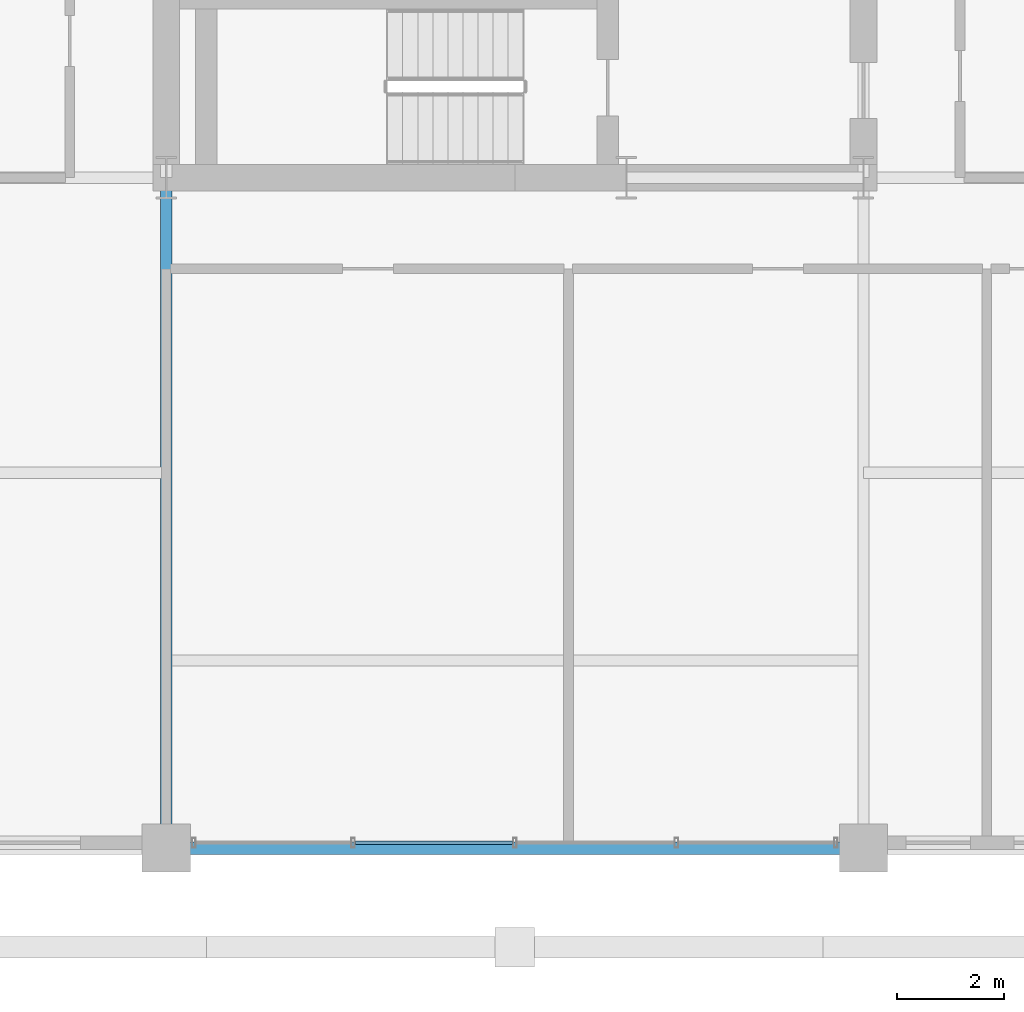
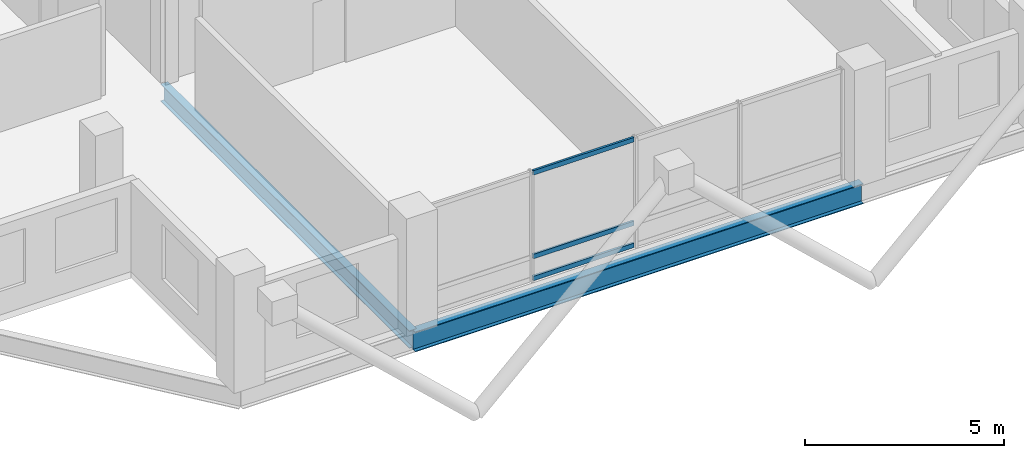
# One storey, part 4 of 22: 3 members, 2 beams, 1 element without a shape of its own.
"""IFC4 building model written with IfcOpenShell, lengths in metres."""

from ifc_helpers import new_model, si_unit, direction, frame, origin, origin_2d, place, context, subcontext, project, spatial, hollow_rectangle, i_section, extrude, material, layer, layer_set, material_profile, profile_set, type_object, element, aggregate, save


model = new_model("IFC4")

# Units and contexts
model_context = context("Model", 3, precision=1e-05, world=origin(), true_north=direction((0.0, 1.0)))
body_context = subcontext(model_context, "Body", "Model", "MODEL_VIEW")
ifc_project = project(units=[si_unit("LENGTHUNIT", "METRE"), si_unit("AREAUNIT", "SQUARE_METRE"), si_unit("VOLUMEUNIT", "CUBIC_METRE"), si_unit("PLANEANGLEUNIT", "RADIAN"), si_unit("MASSUNIT", "GRAM", prefix="KILO")], contexts=[model_context])

# Site, building, storey
site_placement = place(None, origin())
site = spatial("IfcSite", under=ifc_project, at=site_placement, CompositionType="ELEMENT")
building_placement = place(site_placement, origin())
building = spatial("IfcBuilding", under=site, at=building_placement, Name="Barlavira Tower and Art Museum", CompositionType="ELEMENT")
storey_placement = place(building_placement, frame((0.0, 0.0, 269.10009765625)))
storey = spatial("IfcBuildingStorey", under=building, at=storey_placement, Name="L70", CompositionType="ELEMENT", Elevation=269.10009765625)

# Curtain wall, members
ifc_material_1 = material(Name="Low-iron coastal laminated glass", Category="glass")
ifc_layer = layer(ifc_material_1, 0.2099609375, Name="Low-iron coastal laminated glass")
ifc_layer_set = layer_set([ifc_layer], Name="Low-iron coastal laminated glass")
curtain_wall_type = type_object("IfcCurtainWallType", Name="Pale-Metal Unitised Curtain Wall Zone 4", PredefinedType="NOTDEFINED", material=ifc_layer_set)
curtain_wall_placement = place(storey_placement, origin())
curtain_wall = element("IfcCurtainWall", 1, at=curtain_wall_placement, inside=storey, type_object=curtain_wall_type, Name="L70 Curtain Wall CW4-L70-S-B2", PredefinedType="NOTDEFINED")
ifc_material_2 = material(Name="Pale anodised aluminium", Category="aluminium")
ifc_material_profile_1 = material_profile(ifc_material_2, hollow_rectangle(XDim=0.06494140625, YDim=0.139892578125, WallThickness=0.00390625, at=origin_2d()), Name="ALU-TRAN 65x140x4")
ifc_profile_set_1 = profile_set([ifc_material_profile_1], Name="Pale anodised aluminium")
member_type = type_object("IfcMemberType", Name="Curtain Wall Pale-Metal Transom 65x140", PredefinedType="USERDEFINED", material=ifc_profile_set_1)
member_1_placement = place(storey_placement, frame((-2.969970703125, -19.89990234375, 0.06982421875), z_axis=(1.0, 0.0, 0.0), x_axis=(0.0, 1.0, 0.0)))
member_1 = element("IfcMember", 2, at=member_1_placement, type_object=member_type, Name="CW4-L70-S-B2 Transom 1.1", ObjectType="TRANSOM", PredefinedType="USERDEFINED", context=body_context, shape_type="SweptSolid", body=[
    extrude(hollow_rectangle(XDim=0.06494140625, YDim=0.139892578125, WallThickness=0.00390625, at=origin_2d()), origin(), (0.0, 0.0, 1.0), 2.925048828125),
])
member_2_placement = place(storey_placement, frame((-2.969970703125, -19.89990234375, 0.743896484375), z_axis=(1.0, 0.0, 0.0), x_axis=(0.0, 1.0, 0.0)))
member_2 = element("IfcMember", 3, at=member_2_placement, type_object=member_type, Name="CW4-L70-S-B2 Transom 1.2", ObjectType="TRANSOM", PredefinedType="USERDEFINED", context=body_context, shape_type="SweptSolid", body=[
    extrude(hollow_rectangle(XDim=0.06494140625, YDim=0.139892578125, WallThickness=0.00390625, at=origin_2d()), origin(), (0.0, 0.0, 1.0), 2.925048828125),
])
member_3_placement = place(storey_placement, frame((-2.969970703125, -19.89990234375, 3.309814453125), z_axis=(1.0, 0.0, 0.0), x_axis=(0.0, 1.0, 0.0)))
member_3 = element("IfcMember", 4, at=member_3_placement, type_object=member_type, Name="CW4-L70-S-B2 Transom 1.3", ObjectType="TRANSOM", PredefinedType="USERDEFINED", context=body_context, shape_type="SweptSolid", body=[
    extrude(hollow_rectangle(XDim=0.06494140625, YDim=0.139892578125, WallThickness=0.00390625, at=origin_2d()), origin(), (0.0, 0.0, 1.0), 2.925048828125),
])
aggregate(curtain_wall, [member_1, member_2, member_3])

# Beams
ifc_material_3 = material(Name="Steel S355", Category="steel")
ifc_material_profile_2 = material_profile(ifc_material_3, i_section(OverallWidth=0.22998046875, OverallDepth=0.616943359375, WebThickness=0.01318359375, FlangeThickness=0.022216796875, at=origin_2d()), Name="W610x140.0")
ifc_profile_set_2 = profile_set([ifc_material_profile_2], Name="Steel S355")
beam_type_1 = type_object("IfcBeamType", Name="Upper Shaft Spandrel Edge Beam W610x140 Steel S355", PredefinedType="SPANDREL", material=ifc_profile_set_2)
beam_1_placement = place(storey_placement, frame((-6.5, -20.0, -0.528564453125), z_axis=(1.0, 0.0, 0.0), x_axis=(0.0, 1.0, 0.0)))
element("IfcBeam", 5, at=beam_1_placement, inside=storey, type_object=beam_type_1, Name="L70 Spandrel 2", PredefinedType="SPANDREL", context=body_context, shape_type="SweptSolid", body=[
    extrude(i_section(OverallWidth=0.22998046875, OverallDepth=0.616943359375, WebThickness=0.01318359375, FlangeThickness=0.022216796875, at=origin_2d()), origin(), (0.0, 0.0, 1.0), 13.0),
])
ifc_material_profile_3 = material_profile(ifc_material_3, i_section(OverallWidth=0.2109375, OverallDepth=0.5390625, WebThickness=0.01171875, FlangeThickness=0.018798828125, at=origin_2d()), Name="W530x109.0")
ifc_profile_set_3 = profile_set([ifc_material_profile_3], Name="Steel S355")
beam_type_2 = type_object("IfcBeamType", Name="Zone 3-4 Primary Floor Girder W530x109 Steel S355", PredefinedType="BEAM", material=ifc_profile_set_3)
beam_2_placement = place(storey_placement, frame((-6.5, -20.0, -0.489501953125), z_axis=(0.0, 1.0, 0.0), x_axis=(-1.0, 0.0, 0.0)))
element("IfcBeam", 6, at=beam_2_placement, inside=storey, type_object=beam_type_2, Name="L70 Girder R-S1", PredefinedType="BEAM", context=body_context, shape_type="SweptSolid", body=[
    extrude(i_section(OverallWidth=0.2109375, OverallDepth=0.5390625, WebThickness=0.01171875, FlangeThickness=0.018798828125, at=origin_2d()), origin(), (0.0, 0.0, 1.0), 12.5),
])

save(model, "model.ifc")
